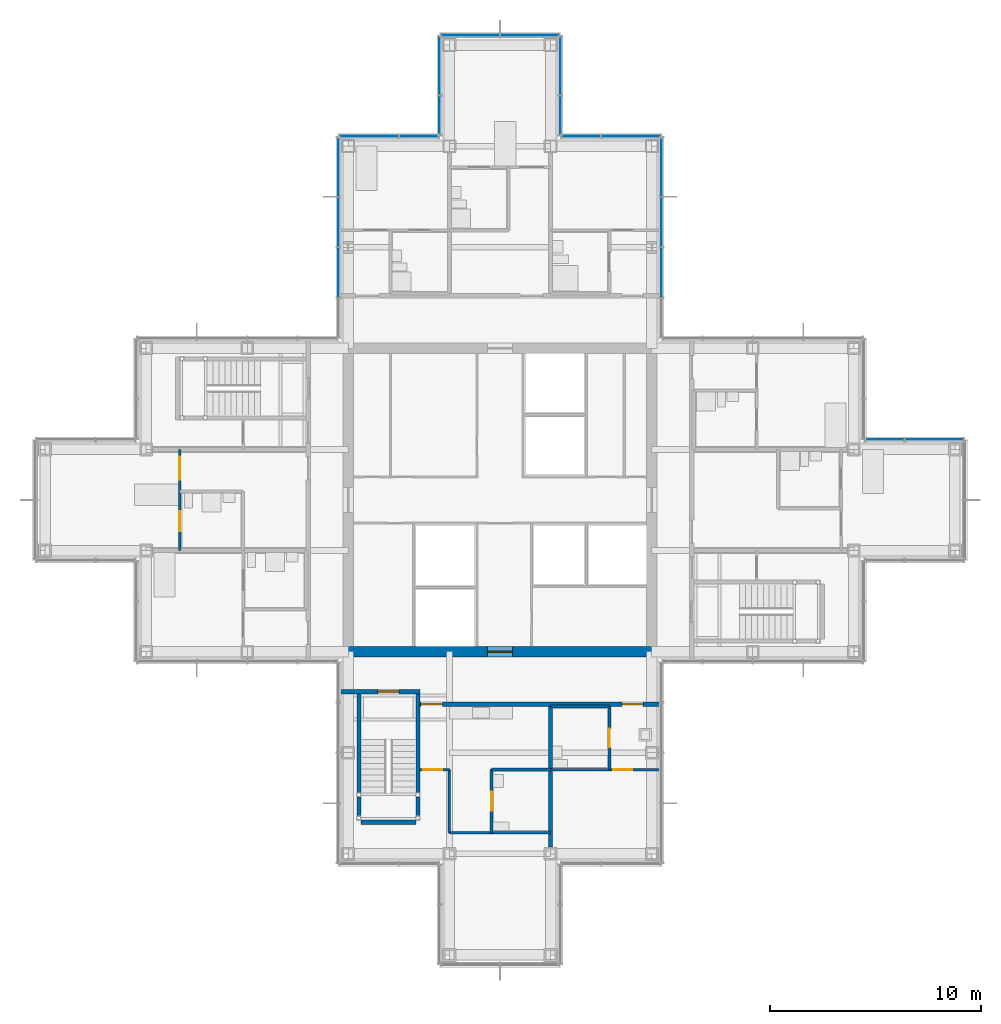
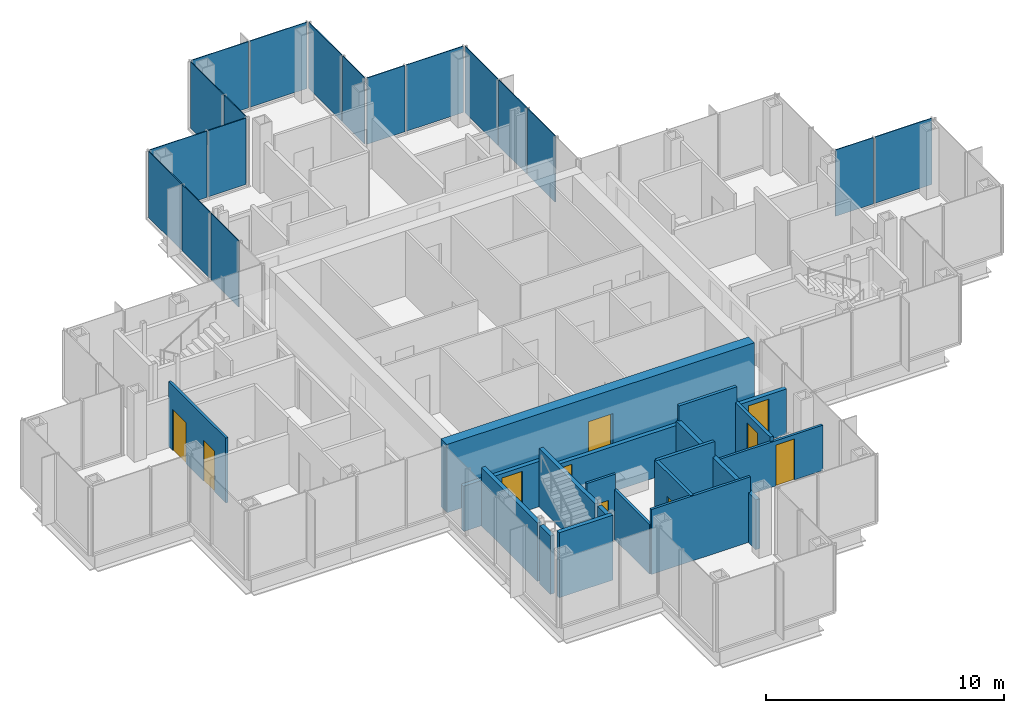
# One storey, part 11 of 17: 18 plates, 18 walls, 10 doors, 10 openings, 8 elements without a shape of their own.
"""IFC4 building model written with IfcOpenShell, lengths in metres."""

from ifc_helpers import new_model, si_unit, direction, frame, frame_2d, origin, origin_2d, place, context, subcontext, project, spatial, rectangle, extrude, material, layer, layer_set, type_object, element, fill, aggregate, save


model = new_model("IFC4")

# Units and contexts
model_context = context("Model", 3, precision=1e-05, world=origin(), true_north=direction((0.0, 1.0)))
body_context = subcontext(model_context, "Body", "Model", "MODEL_VIEW")
ifc_project = project(units=[si_unit("LENGTHUNIT", "METRE"), si_unit("AREAUNIT", "SQUARE_METRE"), si_unit("VOLUMEUNIT", "CUBIC_METRE"), si_unit("PLANEANGLEUNIT", "RADIAN"), si_unit("MASSUNIT", "GRAM", prefix="KILO")], contexts=[model_context])

# Site, building, storey
site_placement = place(None, origin())
site = spatial("IfcSite", under=ifc_project, at=site_placement, CompositionType="ELEMENT")
building_placement = place(site_placement, origin())
building = spatial("IfcBuilding", under=site, at=building_placement, Name="Kvirike Care Tower", CompositionType="ELEMENT")
storey_placement = place(building_placement, frame((0.0, 0.0, 144.5)))
storey = spatial("IfcBuildingStorey", under=building, at=storey_placement, Name="L39", CompositionType="ELEMENT", Elevation=144.5)

# Curtain wall, plates
ifc_material_1 = material(Name="Anodised aluminium stick system", Category="aluminium")
curtain_wall_type = type_object("IfcCurtainWallType", Name="CW-C STICK CURTAIN WALL", PredefinedType="NOTDEFINED", material=ifc_material_1)
curtain_wall_1_placement = place(storey_placement, origin())
curtain_wall_1 = element("IfcCurtainWall", 1, at=curtain_wall_1_placement, inside=storey, type_object=curtain_wall_type, Name="Curtain wall L39 face 5", PredefinedType="NOTDEFINED")
ifc_material_2 = material(Name="Tinted double glazed unit", Category="glass")
ifc_layer_1 = layer(ifc_material_2, 0.0400390625)
ifc_layer_set_1 = layer_set([ifc_layer_1], Name="TINTED VISION PANEL 40")
plate_type = type_object("IfcPlateType", Name="TINTED VISION PANEL 40", PredefinedType="CURTAIN_PANEL", material=ifc_layer_set_1)
plate_1_placement = place(storey_placement, frame((42.21875, 38.8701171875, 0.10009765625), z_axis=(0.0, 0.0, 1.0), x_axis=(-1.0, 0.0, 0.0)))
plate_1 = element("IfcPlate", 2, at=plate_1_placement, type_object=plate_type, Name="CW-C panel L39 face 5.1", PredefinedType="CURTAIN_PANEL", context=body_context, shape_type="SweptSolid", body=[
    extrude(rectangle(XDim=2.7724609375, YDim=0.0400390625, at=origin_2d()), origin(), (0.0, 0.0, 1.0), 3.39990234375),
])
plate_2_placement = place(storey_placement, frame((39.851318359375, 38.8701171875, 0.10009765625), z_axis=(0.0, 0.0, 1.0), x_axis=(-1.0, 0.0, 0.0)))
plate_2 = element("IfcPlate", 3, at=plate_2_placement, type_object=plate_type, Name="CW-C panel L39 face 5.2", PredefinedType="CURTAIN_PANEL", context=body_context, shape_type="SweptSolid", body=[
    extrude(rectangle(XDim=1.83251953125, YDim=0.0400390625, at=origin_2d()), origin(), (0.0, 0.0, 1.0), 3.39990234375),
])
aggregate(curtain_wall_1, [plate_1, plate_2])

curtain_wall_2_placement = place(storey_placement, origin())
curtain_wall_2 = element("IfcCurtainWall", 4, at=curtain_wall_2_placement, inside=storey, type_object=curtain_wall_type, Name="Curtain wall L39 face 8", PredefinedType="NOTDEFINED")
plate_3_placement = place(storey_placement, frame((29.27001953125, 46.800048828125, 0.10009765625), z_axis=(0.0, 0.0, 1.0), x_axis=(0.0, 1.0, 0.0)))
plate_3 = element("IfcPlate", 5, at=plate_3_placement, type_object=plate_type, Name="CW-C panel L39 face 8.2", PredefinedType="CURTAIN_PANEL", context=body_context, shape_type="SweptSolid", body=[
    extrude(rectangle(XDim=2.3349609375, YDim=0.0400390625, at=origin_2d()), origin(), (0.0, 0.0, 1.0), 3.39990234375),
])
plate_4_placement = place(storey_placement, frame((29.27001953125, 49.199951171875, 0.10009765625), z_axis=(0.0, 0.0, 1.0), x_axis=(0.0, 1.0, 0.0)))
plate_4 = element("IfcPlate", 6, at=plate_4_placement, type_object=plate_type, Name="CW-C panel L39 face 8.3", PredefinedType="CURTAIN_PANEL", context=body_context, shape_type="SweptSolid", body=[
    extrude(rectangle(XDim=2.3349609375, YDim=0.0400390625, at=origin_2d()), origin(), (0.0, 0.0, 1.0), 3.39990234375),
])
plate_5_placement = place(storey_placement, frame((29.27001953125, 51.81884765625, 0.10009765625), z_axis=(0.0, 0.0, 1.0), x_axis=(0.0, 1.0, 0.0)))
plate_5 = element("IfcPlate", 7, at=plate_5_placement, type_object=plate_type, Name="CW-C panel L39 face 8.4", PredefinedType="CURTAIN_PANEL", context=body_context, shape_type="SweptSolid", body=[
    extrude(rectangle(XDim=2.7724609375, YDim=0.0400390625, at=origin_2d()), origin(), (0.0, 0.0, 1.0), 3.39990234375),
])
aggregate(curtain_wall_2, [plate_3, plate_4, plate_5])

curtain_wall_3_placement = place(storey_placement, origin())
curtain_wall_3 = element("IfcCurtainWall", 8, at=curtain_wall_3_placement, inside=storey, type_object=curtain_wall_type, Name="Curtain wall L39 face 9", PredefinedType="NOTDEFINED")
plate_6_placement = place(storey_placement, frame((27.81884765625, 53.27001953125, 0.10009765625), z_axis=(0.0, 0.0, 1.0), x_axis=(-1.0, 0.0, 0.0)))
plate_6 = element("IfcPlate", 9, at=plate_6_placement, type_object=plate_type, Name="CW-C panel L39 face 9.1", PredefinedType="CURTAIN_PANEL", context=body_context, shape_type="SweptSolid", body=[
    extrude(rectangle(XDim=2.7724609375, YDim=0.0400390625, at=origin_2d()), origin(), (0.0, 0.0, 1.0), 3.39990234375),
])
plate_7_placement = place(storey_placement, frame((25.451171875, 53.27001953125, 0.10009765625), z_axis=(0.0, 0.0, 1.0), x_axis=(-1.0, 0.0, 0.0)))
plate_7 = element("IfcPlate", 10, at=plate_7_placement, type_object=plate_type, Name="CW-C panel L39 face 9.2", PredefinedType="CURTAIN_PANEL", context=body_context, shape_type="SweptSolid", body=[
    extrude(rectangle(XDim=1.83251953125, YDim=0.0400390625, at=origin_2d()), origin(), (0.0, 0.0, 1.0), 3.39990234375),
])
aggregate(curtain_wall_3, [plate_6, plate_7])

curtain_wall_4_placement = place(storey_placement, origin())
curtain_wall_4 = element("IfcCurtainWall", 11, at=curtain_wall_4_placement, inside=storey, type_object=curtain_wall_type, Name="Curtain wall L39 face 10", PredefinedType="NOTDEFINED")
plate_8_placement = place(storey_placement, frame((24.469970703125, 54.251220703125, 0.10009765625), z_axis=(0.0, 0.0, 1.0), x_axis=(0.0, 1.0, 0.0)))
plate_8 = element("IfcPlate", 12, at=plate_8_placement, type_object=plate_type, Name="CW-C panel L39 face 10.1", PredefinedType="CURTAIN_PANEL", context=body_context, shape_type="SweptSolid", body=[
    extrude(rectangle(XDim=1.83251953125, YDim=0.0400390625, at=origin_2d()), origin(), (0.0, 0.0, 1.0), 3.39990234375),
])
plate_9_placement = place(storey_placement, frame((24.469970703125, 56.61865234375, 0.10009765625), z_axis=(0.0, 0.0, 1.0), x_axis=(0.0, 1.0, 0.0)))
plate_9 = element("IfcPlate", 13, at=plate_9_placement, type_object=plate_type, Name="CW-C panel L39 face 10.2", PredefinedType="CURTAIN_PANEL", context=body_context, shape_type="SweptSolid", body=[
    extrude(rectangle(XDim=2.7724609375, YDim=0.0400390625, at=origin_2d()), origin(), (0.0, 0.0, 1.0), 3.39990234375),
])
aggregate(curtain_wall_4, [plate_8, plate_9])

curtain_wall_5_placement = place(storey_placement, origin())
curtain_wall_5 = element("IfcCurtainWall", 14, at=curtain_wall_5_placement, inside=storey, type_object=curtain_wall_type, Name="Curtain wall L39 face 11", PredefinedType="NOTDEFINED")
plate_10_placement = place(storey_placement, frame((23.018798828125, 58.070068359375, 0.10009765625), z_axis=(0.0, 0.0, 1.0), x_axis=(-1.0, 0.0, 0.0)))
plate_10 = element("IfcPlate", 15, at=plate_10_placement, type_object=plate_type, Name="CW-C panel L39 face 11.1", PredefinedType="CURTAIN_PANEL", context=body_context, shape_type="SweptSolid", body=[
    extrude(rectangle(XDim=2.7724609375, YDim=0.0400390625, at=origin_2d()), origin(), (0.0, 0.0, 1.0), 3.39990234375),
])
plate_11_placement = place(storey_placement, frame((20.18115234375, 58.070068359375, 0.10009765625), z_axis=(0.0, 0.0, 1.0), x_axis=(-1.0, 0.0, 0.0)))
plate_11 = element("IfcPlate", 16, at=plate_11_placement, type_object=plate_type, Name="CW-C panel L39 face 11.2", PredefinedType="CURTAIN_PANEL", context=body_context, shape_type="SweptSolid", body=[
    extrude(rectangle(XDim=2.7724609375, YDim=0.0400390625, at=origin_2d()), origin(), (0.0, 0.0, 1.0), 3.39990234375),
])
aggregate(curtain_wall_5, [plate_10, plate_11])

curtain_wall_6_placement = place(storey_placement, origin())
curtain_wall_6 = element("IfcCurtainWall", 17, at=curtain_wall_6_placement, inside=storey, type_object=curtain_wall_type, Name="Curtain wall L39 face 12", PredefinedType="NOTDEFINED")
plate_12_placement = place(storey_placement, frame((18.72998046875, 56.61865234375, 0.10009765625), z_axis=(0.0, 0.0, 1.0), x_axis=(0.0, -1.0, 0.0)))
plate_12 = element("IfcPlate", 18, at=plate_12_placement, type_object=plate_type, Name="CW-C panel L39 face 12.1", PredefinedType="CURTAIN_PANEL", context=body_context, shape_type="SweptSolid", body=[
    extrude(rectangle(XDim=2.7724609375, YDim=0.0400390625, at=origin_2d()), origin(), (0.0, 0.0, 1.0), 3.39990234375),
])
plate_13_placement = place(storey_placement, frame((18.72998046875, 54.251220703125, 0.10009765625), z_axis=(0.0, 0.0, 1.0), x_axis=(0.0, -1.0, 0.0)))
plate_13 = element("IfcPlate", 19, at=plate_13_placement, type_object=plate_type, Name="CW-C panel L39 face 12.2", PredefinedType="CURTAIN_PANEL", context=body_context, shape_type="SweptSolid", body=[
    extrude(rectangle(XDim=1.83251953125, YDim=0.0400390625, at=origin_2d()), origin(), (0.0, 0.0, 1.0), 3.39990234375),
])
aggregate(curtain_wall_6, [plate_12, plate_13])

curtain_wall_7_placement = place(storey_placement, origin())
curtain_wall_7 = element("IfcCurtainWall", 20, at=curtain_wall_7_placement, inside=storey, type_object=curtain_wall_type, Name="Curtain wall L39 face 13", PredefinedType="NOTDEFINED")
plate_14_placement = place(storey_placement, frame((17.748779296875, 53.27001953125, 0.10009765625), z_axis=(0.0, 0.0, 1.0), x_axis=(-1.0, 0.0, 0.0)))
plate_14 = element("IfcPlate", 21, at=plate_14_placement, type_object=plate_type, Name="CW-C panel L39 face 13.1", PredefinedType="CURTAIN_PANEL", context=body_context, shape_type="SweptSolid", body=[
    extrude(rectangle(XDim=1.83251953125, YDim=0.0400390625, at=origin_2d()), origin(), (0.0, 0.0, 1.0), 3.39990234375),
])
plate_15_placement = place(storey_placement, frame((15.38134765625, 53.27001953125, 0.10009765625), z_axis=(0.0, 0.0, 1.0), x_axis=(-1.0, 0.0, 0.0)))
plate_15 = element("IfcPlate", 22, at=plate_15_placement, type_object=plate_type, Name="CW-C panel L39 face 13.2", PredefinedType="CURTAIN_PANEL", context=body_context, shape_type="SweptSolid", body=[
    extrude(rectangle(XDim=2.7724609375, YDim=0.0400390625, at=origin_2d()), origin(), (0.0, 0.0, 1.0), 3.39990234375),
])
aggregate(curtain_wall_7, [plate_14, plate_15])

curtain_wall_8_placement = place(storey_placement, origin())
curtain_wall_8 = element("IfcCurtainWall", 23, at=curtain_wall_8_placement, inside=storey, type_object=curtain_wall_type, Name="Curtain wall L39 face 14", PredefinedType="NOTDEFINED")
plate_16_placement = place(storey_placement, frame((13.929931640625, 51.81884765625, 0.10009765625), z_axis=(0.0, 0.0, 1.0), x_axis=(0.0, -1.0, 0.0)))
plate_16 = element("IfcPlate", 24, at=plate_16_placement, type_object=plate_type, Name="CW-C panel L39 face 14.1", PredefinedType="CURTAIN_PANEL", context=body_context, shape_type="SweptSolid", body=[
    extrude(rectangle(XDim=2.7724609375, YDim=0.0400390625, at=origin_2d()), origin(), (0.0, 0.0, 1.0), 3.39990234375),
])
plate_17_placement = place(storey_placement, frame((13.929931640625, 49.199951171875, 0.10009765625), z_axis=(0.0, 0.0, 1.0), x_axis=(0.0, -1.0, 0.0)))
plate_17 = element("IfcPlate", 25, at=plate_17_placement, type_object=plate_type, Name="CW-C panel L39 face 14.2", PredefinedType="CURTAIN_PANEL", context=body_context, shape_type="SweptSolid", body=[
    extrude(rectangle(XDim=2.3349609375, YDim=0.0400390625, at=origin_2d()), origin(), (0.0, 0.0, 1.0), 3.39990234375),
])
plate_18_placement = place(storey_placement, frame((13.929931640625, 46.800048828125, 0.10009765625), z_axis=(0.0, 0.0, 1.0), x_axis=(0.0, -1.0, 0.0)))
plate_18 = element("IfcPlate", 26, at=plate_18_placement, type_object=plate_type, Name="CW-C panel L39 face 14.3", PredefinedType="CURTAIN_PANEL", context=body_context, shape_type="SweptSolid", body=[
    extrude(rectangle(XDim=2.3349609375, YDim=0.0400390625, at=origin_2d()), origin(), (0.0, 0.0, 1.0), 3.39990234375),
])
aggregate(curtain_wall_8, [plate_16, plate_17, plate_18])

# Wall, opening, door
ifc_material_3 = material(Name="Moisture-resistant board partition", Category="gypsum")
ifc_layer_2 = layer(ifc_material_3, 0.14990234375)
ifc_layer_set_2 = layer_set([ifc_layer_2], Name="BATHROOM WALL 150")
wall_type_1 = type_object("IfcWallType", Name="BATHROOM WALL 150", PredefinedType="PARTITIONING", material=ifc_layer_set_2)
wall_1_placement = place(storey_placement, frame((21.199951171875, 20.199951171875, 0.0), z_axis=(0.0, 0.0, 1.0), x_axis=(0.0, 1.0, 0.0)))
wall_1 = element("IfcWall", 27, at=wall_1_placement, inside=storey, type_object=wall_type_1, Name="Bathroom Wall 150 L39", PredefinedType="PARTITIONING", context=body_context, shape_type="SweptSolid", body=[
    extrude(rectangle(XDim=3.0, YDim=0.14990234375, at=frame_2d((1.5, 0.0))), origin(), (0.0, 0.0, 1.0), 3.330078125),
])
opening_1_placement = place(wall_1_placement, frame((1.050048828125, 0.0, 0.0)))
opening_1 = element("IfcOpeningElement", 28, at=opening_1_placement, cuts=wall_1, Name="Opening 39-011", PredefinedType="OPENING", context=body_context, shape_type="SweptSolid", body=[
    extrude(rectangle(XDim=0.89990234375, YDim=2.10009765625, at=frame_2d((0.449951171875, 1.050048828125))), frame((0.0, 0.08544921875, 0.0), z_axis=(0.0, -1.0, 0.0), x_axis=(1.0, 0.0, 0.0)), (0.0, 0.0, 1.0), 0.1708984375),
])
ifc_material_4 = material(Name="Timber door set", Category="wood")
door_type_1 = type_object("IfcDoorType", Name="BATHROOM DOOR 900", OperationType="SINGLE_SWING_RIGHT", PredefinedType="DOOR", material=ifc_material_4)
door_1_placement = place(opening_1_placement, frame((0.89990234375, 0.0, 0.0), z_axis=(0.0, 0.0, 1.0), x_axis=(-1.0, 0.0, 0.0)))
door_1 = element("IfcDoor", 29, at=door_1_placement, inside=storey, type_object=door_type_1, Name="Accessible WC door", OperationType="SINGLE_SWING_LEFT", OverallHeight=2.10009765625, OverallWidth=0.89990234375, PredefinedType="DOOR", context=body_context, shape_type="SweptSolid", body=[
    extrude(rectangle(XDim=0.89990234375, YDim=2.10009765625, at=frame_2d((0.449951171875, 1.050048828125))), frame((0.0, 0.02197265625, 0.0), z_axis=(0.0, -1.0, 0.0), x_axis=(1.0, 0.0, 0.0)), (0.0, 0.0, 1.0), 0.0439453125),
])
fill(opening_1, door_1)

# Wall
wall_2_placement = place(storey_placement, frame((21.199951171875, 23.199951171875, 0.0), z_axis=(0.0, 0.0, 1.0), x_axis=(1.0, 0.0, 0.0)))
element("IfcWall", 30, at=wall_2_placement, inside=storey, type_object=wall_type_1, Name="Bathroom Wall 150 L39", PredefinedType="PARTITIONING", context=body_context, shape_type="SweptSolid", body=[
    extrude(rectangle(XDim=2.800048828125, YDim=0.14990234375, at=frame_2d((1.39990234375, 0.0))), origin(), (0.0, 0.0, 1.0), 3.330078125),
])

# Wall, opening, door
wall_3_placement = place(storey_placement, frame((26.800048828125, 23.199951171875, 0.0), z_axis=(0.0, 0.0, 1.0), x_axis=(0.0, 1.0, 0.0)))
wall_3 = element("IfcWall", 31, at=wall_3_placement, inside=storey, type_object=wall_type_1, Name="Bathroom Wall 150 L39", PredefinedType="PARTITIONING", context=body_context, shape_type="SweptSolid", body=[
    extrude(rectangle(XDim=3.0, YDim=0.14990234375, at=frame_2d((1.5, 0.0))), origin(), (0.0, 0.0, 1.0), 2.550048828125),
])
opening_2_placement = place(wall_3_placement, frame((1.050048828125, 0.0, 0.0)))
opening_2 = element("IfcOpeningElement", 32, at=opening_2_placement, cuts=wall_3, Name="Opening 39-013", PredefinedType="OPENING", context=body_context, shape_type="SweptSolid", body=[
    extrude(rectangle(XDim=0.89990234375, YDim=2.10009765625, at=frame_2d((0.449951171875, 1.050048828125))), frame((0.0, 0.08544921875, 0.0), z_axis=(0.0, -1.0, 0.0), x_axis=(1.0, 0.0, 0.0)), (0.0, 0.0, 1.0), 0.1708984375),
])
door_2_placement = place(opening_2_placement, frame((0.89990234375, 0.0, 0.0), z_axis=(0.0, 0.0, 1.0), x_axis=(-1.0, 0.0, 0.0)))
door_2 = element("IfcDoor", 33, at=door_2_placement, inside=storey, type_object=door_type_1, Name="Staff WC door", OperationType="SINGLE_SWING_LEFT", OverallHeight=2.10009765625, OverallWidth=0.89990234375, PredefinedType="DOOR", context=body_context, shape_type="SweptSolid", body=[
    extrude(rectangle(XDim=0.89990234375, YDim=2.10009765625, at=frame_2d((0.449951171875, 1.050048828125))), frame((0.0, 0.02197265625, 0.0), z_axis=(0.0, -1.0, 0.0), x_axis=(1.0, 0.0, 0.0)), (0.0, 0.0, 1.0), 0.0439453125),
])
fill(opening_2, door_2)

# Wall
wall_4_placement = place(storey_placement, frame((24.0, 26.199951171875, 0.0), z_axis=(0.0, 0.0, 1.0), x_axis=(1.0, 0.0, 0.0)))
element("IfcWall", 34, at=wall_4_placement, inside=storey, type_object=wall_type_1, Name="Bathroom Wall 150 L39", PredefinedType="PARTITIONING", context=body_context, shape_type="SweptSolid", body=[
    extrude(rectangle(XDim=2.800048828125, YDim=0.14990234375, at=frame_2d((1.39990234375, 0.0))), origin(), (0.0, 0.0, 1.0), 3.330078125),
])

# Wall, opening, door
ifc_material_5 = material(Name="Concrete C45/55", Category="concrete")
ifc_layer_3 = layer(ifc_material_5, 0.5)
ifc_layer_set_3 = layer_set([ifc_layer_3], Name="CORE WALL 500 C45-55")
wall_type_2 = type_object("IfcWallType", Name="CORE WALL 500 C45-55", PredefinedType="SHEAR", material=ifc_layer_set_3)
wall_5_placement = place(storey_placement, frame((14.14990234375, 28.800048828125, -0.169921875), z_axis=(0.0, 0.0, 1.0), x_axis=(1.0, 0.0, 0.0)))
wall_5 = element("IfcWall", 35, at=wall_5_placement, inside=storey, type_object=wall_type_2, Name="Core wall S L39", PredefinedType="SHEAR", context=body_context, shape_type="SweptSolid", body=[
    extrude(rectangle(XDim=14.900146484375, YDim=0.5, at=frame_2d((7.4501953125, 0.0))), origin(), (0.0, 0.0, 1.0), 3.5),
])
opening_3_placement = place(wall_5_placement, frame((6.85009765625, 0.0, 0.169921875)))
opening_3 = element("IfcOpeningElement", 36, at=opening_3_placement, cuts=wall_5, Name="Opening 39-047", PredefinedType="OPENING", context=body_context, shape_type="SweptSolid", body=[
    extrude(rectangle(XDim=1.199951171875, YDim=2.10009765625, at=frame_2d((0.60009765625, 1.050048828125))), frame((0.0, 0.260498046875, 0.0), z_axis=(0.0, -1.0, 0.0), x_axis=(1.0, 0.0, 0.0)), (0.0, 0.0, 1.0), 0.52099609375),
])
ifc_material_6 = material(Name="Timber door set", Category="wood")
door_type_2 = type_object("IfcDoorType", Name="CORE DOOR 1200", OperationType="SINGLE_SWING_LEFT", PredefinedType="DOOR", material=ifc_material_6)
door_3_placement = place(opening_3_placement, origin())
door_3 = element("IfcDoor", 37, at=door_3_placement, inside=storey, type_object=door_type_2, Name="Core door S L39", OperationType="SINGLE_SWING_LEFT", OverallHeight=2.10009765625, OverallWidth=1.199951171875, PredefinedType="DOOR", context=body_context, shape_type="SweptSolid", body=[
    extrude(rectangle(XDim=1.199951171875, YDim=2.10009765625, at=frame_2d((0.60009765625, 1.050048828125))), frame((0.0, 0.02685546875, 0.0), z_axis=(0.0, -1.0, 0.0), x_axis=(1.0, 0.0, 0.0)), (0.0, 0.0, 1.0), 0.053955078125),
])
fill(opening_3, door_3)

# Wall, openings, doors
ifc_material_7 = material(Name="Plasterboard corridor wall", Category="gypsum")
ifc_layer_4 = layer(ifc_material_7, 0.199951171875)
ifc_layer_set_4 = layer_set([ifc_layer_4], Name="CORRIDOR WALL 200")
wall_type_3 = type_object("IfcWallType", Name="CORRIDOR WALL 200", PredefinedType="PARTITIONING", material=ifc_layer_set_4)
wall_6_placement = place(storey_placement, frame((17.800048828125, 26.300048828125, 0.0), z_axis=(0.0, 0.0, 1.0), x_axis=(1.0, 0.0, 0.0)))
wall_6 = element("IfcWall", 38, at=wall_6_placement, inside=storey, type_object=wall_type_3, Name="Corridor Wall 200 L39", PredefinedType="PARTITIONING", context=body_context, shape_type="SweptSolid", body=[
    extrude(rectangle(XDim=11.449951171875, YDim=0.199951171875, at=frame_2d((5.72509765625, 0.0))), origin(), (0.0, 0.0, 1.0), 2.320068359375),
])
opening_4_placement = place(wall_6_placement, frame((0.06005859375, 0.0, 0.0)))
opening_4 = element("IfcOpeningElement", 39, at=opening_4_placement, cuts=wall_6, Name="Opening 39-015", PredefinedType="OPENING", context=body_context, shape_type="SweptSolid", body=[
    extrude(rectangle(XDim=1.0, YDim=2.10009765625, at=frame_2d((0.5, 1.050048828125))), frame((0.0, 0.110595703125, 0.0), z_axis=(0.0, -1.0, 0.0), x_axis=(1.0, 0.0, 0.0)), (0.0, 0.0, 1.0), 0.220947265625),
])
opening_5_placement = place(wall_6_placement, frame((9.60009765625, 0.0, 0.0)))
opening_5 = element("IfcOpeningElement", 40, at=opening_5_placement, cuts=wall_6, Name="Opening 39-016", PredefinedType="OPENING", context=body_context, shape_type="SweptSolid", body=[
    extrude(rectangle(XDim=1.0, YDim=2.10009765625, at=frame_2d((0.5, 1.050048828125))), frame((0.0, 0.110595703125, 0.0), z_axis=(0.0, -1.0, 0.0), x_axis=(1.0, 0.0, 0.0)), (0.0, 0.0, 1.0), 0.220947265625),
])
ifc_material_8 = material(Name="Timber door set", Category="wood")
door_type_3 = type_object("IfcDoorType", Name="FLAT ENTRANCE DOOR 1000", OperationType="SINGLE_SWING_LEFT", PredefinedType="DOOR", material=ifc_material_8)
door_4_placement = place(opening_4_placement, frame((1.0, 0.0, 0.0), z_axis=(0.0, 0.0, 1.0), x_axis=(-1.0, 0.0, 0.0)))
door_4 = element("IfcDoor", 41, at=door_4_placement, inside=storey, type_object=door_type_3, Name="Household lounge entrance", OperationType="SINGLE_SWING_LEFT", OverallHeight=2.10009765625, OverallWidth=1.0, PredefinedType="DOOR", context=body_context, shape_type="SweptSolid", body=[
    extrude(rectangle(XDim=1.0, YDim=2.10009765625, at=frame_2d((0.5, 1.050048828125))), frame((0.0, 0.02685546875, 0.0), z_axis=(0.0, -1.0, 0.0), x_axis=(1.0, 0.0, 0.0)), (0.0, 0.0, 1.0), 0.053955078125),
])
fill(opening_4, door_4)
door_5_placement = place(opening_5_placement, frame((1.0, 0.0, 0.0), z_axis=(0.0, 0.0, 1.0), x_axis=(-1.0, 0.0, 0.0)))
door_5 = element("IfcDoor", 42, at=door_5_placement, inside=storey, type_object=door_type_3, Name="Household dining entrance", OperationType="SINGLE_SWING_RIGHT", OverallHeight=2.10009765625, OverallWidth=1.0, PredefinedType="DOOR", context=body_context, shape_type="SweptSolid", body=[
    extrude(rectangle(XDim=1.0, YDim=2.10009765625, at=frame_2d((0.5, 1.050048828125))), frame((0.0, 0.02685546875, 0.0), z_axis=(0.0, -1.0, 0.0), x_axis=(1.0, 0.0, 0.0)), (0.0, 0.0, 1.0), 0.053955078125),
])
fill(opening_5, door_5)

ifc_material_9 = material(Name="Plasterboard partition", Category="gypsum")
ifc_layer_5 = layer(ifc_material_9, 0.1201171875)
ifc_layer_set_5 = layer_set([ifc_layer_5], Name="PARTITION 120")
wall_type_4 = type_object("IfcWallType", Name="PARTITION 120", PredefinedType="PARTITIONING", material=ifc_layer_set_5)
wall_7_placement = place(storey_placement, frame((6.39990234375, 38.39990234375, 0.0), z_axis=(0.0, 0.0, 1.0), x_axis=(0.0, -1.0, 0.0)))
wall_7 = element("IfcWall", 43, at=wall_7_placement, inside=storey, type_object=wall_type_4, Name="Partition 120 L39", PredefinedType="PARTITIONING", context=body_context, shape_type="SweptSolid", body=[
    extrude(rectangle(XDim=4.7998046875, YDim=0.1201171875, at=frame_2d((2.39990234375, 0.0))), origin(), (0.0, 0.0, 1.0), 3.330078125),
])
opening_6_placement = place(wall_7_placement, frame((0.35009765625, 0.0, 0.0)))
opening_6 = element("IfcOpeningElement", 44, at=opening_6_placement, cuts=wall_7, Name="Opening 39-002", PredefinedType="OPENING", context=body_context, shape_type="SweptSolid", body=[
    extrude(rectangle(XDim=1.10009765625, YDim=2.10009765625, at=frame_2d((0.550048828125, 1.050048828125))), frame((0.0, 0.070556640625, 0.0), z_axis=(0.0, -1.0, 0.0), x_axis=(1.0, 0.0, 0.0)), (0.0, 0.0, 1.0), 0.14111328125),
])
opening_7_placement = place(wall_7_placement, frame((2.925048828125, 0.0, 0.0)))
opening_7 = element("IfcOpeningElement", 45, at=opening_7_placement, cuts=wall_7, Name="Opening 39-003", PredefinedType="OPENING", context=body_context, shape_type="SweptSolid", body=[
    extrude(rectangle(XDim=0.949951171875, YDim=2.10009765625, at=frame_2d((0.47509765625, 1.050048828125))), frame((0.0, 0.070556640625, 0.0), z_axis=(0.0, -1.0, 0.0), x_axis=(1.0, 0.0, 0.0)), (0.0, 0.0, 1.0), 0.14111328125),
])
ifc_material_10 = material(Name="Timber door set", Category="wood")
door_type_4 = type_object("IfcDoorType", Name="BEDROOM DOOR 1100", OperationType="SINGLE_SWING_LEFT", PredefinedType="DOOR", material=ifc_material_10)
door_6_placement = place(opening_6_placement, origin())
door_6 = element("IfcDoor", 46, at=door_6_placement, inside=storey, type_object=door_type_4, Name="Memory care bedroom door", OperationType="SINGLE_SWING_RIGHT", OverallHeight=2.10009765625, OverallWidth=1.10009765625, PredefinedType="DOOR", context=body_context, shape_type="SweptSolid", body=[
    extrude(rectangle(XDim=1.10009765625, YDim=2.10009765625, at=frame_2d((0.550048828125, 1.050048828125))), frame((0.0, 0.02197265625, 0.0), z_axis=(0.0, -1.0, 0.0), x_axis=(1.0, 0.0, 0.0)), (0.0, 0.0, 1.0), 0.0439453125),
])
fill(opening_6, door_6)
ifc_material_11 = material(Name="Timber door set", Category="wood")
door_type_5 = type_object("IfcDoorType", Name="EN-SUITE SLIDING DOOR 950", OperationType="SLIDING_TO_LEFT", PredefinedType="DOOR", material=ifc_material_11)
door_7_placement = place(opening_7_placement, origin())
door_7 = element("IfcDoor", 47, at=door_7_placement, inside=storey, type_object=door_type_5, Name="En-suite door", OperationType="SLIDING_TO_LEFT", OverallHeight=2.10009765625, OverallWidth=0.949951171875, PredefinedType="DOOR", context=body_context, shape_type="SweptSolid", body=[
    extrude(rectangle(XDim=0.949951171875, YDim=2.10009765625, at=frame_2d((0.47509765625, 1.050048828125))), frame((0.0, 0.02197265625, 0.0), z_axis=(0.0, -1.0, 0.0), x_axis=(1.0, 0.0, 0.0)), (0.0, 0.0, 1.0), 0.0439453125),
])
fill(opening_7, door_7)

# Wall, opening, door
wall_8_placement = place(storey_placement, frame((17.800048828125, 23.199951171875, 0.0), z_axis=(0.0, 0.0, 1.0), x_axis=(1.0, 0.0, 0.0)))
wall_8 = element("IfcWall", 48, at=wall_8_placement, inside=storey, type_object=wall_type_4, Name="Partition 120 L39", PredefinedType="PARTITIONING", context=body_context, shape_type="SweptSolid", body=[
    extrude(rectangle(XDim=1.39990234375, YDim=0.1201171875, at=frame_2d((0.699951171875, 0.0))), origin(), (0.0, 0.0, 1.0), 3.330078125),
])
opening_8_placement = place(wall_8_placement, frame((0.14990234375, 0.0, 0.0)))
opening_8 = element("IfcOpeningElement", 49, at=opening_8_placement, cuts=wall_8, Name="Opening 39-012", PredefinedType="OPENING", context=body_context, shape_type="SweptSolid", body=[
    extrude(rectangle(XDim=0.89990234375, YDim=2.10009765625, at=frame_2d((0.449951171875, 1.050048828125))), frame((0.0, 0.070556640625, 0.0), z_axis=(0.0, -1.0, 0.0), x_axis=(1.0, 0.0, 0.0)), (0.0, 0.0, 1.0), 0.14111328125),
])
ifc_material_12 = material(Name="Timber door set", Category="wood")
door_type_6 = type_object("IfcDoorType", Name="INTERNAL DOOR 900", OperationType="SINGLE_SWING_LEFT", PredefinedType="DOOR", material=ifc_material_12)
door_8_placement = place(opening_8_placement, origin())
door_8 = element("IfcDoor", 50, at=door_8_placement, inside=storey, type_object=door_type_6, Name="Household lounge door", OperationType="SINGLE_SWING_RIGHT", OverallHeight=2.10009765625, OverallWidth=0.89990234375, PredefinedType="DOOR", context=body_context, shape_type="SweptSolid", body=[
    extrude(rectangle(XDim=0.89990234375, YDim=2.10009765625, at=frame_2d((0.449951171875, 1.050048828125))), frame((0.0, 0.02197265625, 0.0), z_axis=(0.0, -1.0, 0.0), x_axis=(1.0, 0.0, 0.0)), (0.0, 0.0, 1.0), 0.0439453125),
])
fill(opening_8, door_8)

# Walls
wall_9_placement = place(storey_placement, frame((19.199951171875, 20.199951171875, 0.0), z_axis=(0.0, 0.0, 1.0), x_axis=(1.0, 0.0, 0.0)))
element("IfcWall", 51, at=wall_9_placement, inside=storey, type_object=wall_type_4, Name="Partition 120 L39", PredefinedType="PARTITIONING", context=body_context, shape_type="SweptSolid", body=[
    extrude(rectangle(XDim=4.800048828125, YDim=0.1201171875, at=frame_2d((2.39990234375, 0.0))), origin(), (0.0, 0.0, 1.0), 3.330078125),
])
wall_10_placement = place(storey_placement, frame((19.199951171875, 20.199951171875, 0.0), z_axis=(0.0, 0.0, 1.0), x_axis=(0.0, 1.0, 0.0)))
element("IfcWall", 52, at=wall_10_placement, inside=storey, type_object=wall_type_4, Name="Partition 120 L39", PredefinedType="PARTITIONING", context=body_context, shape_type="SweptSolid", body=[
    extrude(rectangle(XDim=3.0, YDim=0.1201171875, at=frame_2d((1.5, 0.0))), origin(), (0.0, 0.0, 1.0), 2.550048828125),
])

# Wall, opening, door
wall_11_placement = place(storey_placement, frame((24.0, 23.199951171875, 0.0), z_axis=(0.0, 0.0, 1.0), x_axis=(1.0, 0.0, 0.0)))
wall_11 = element("IfcWall", 53, at=wall_11_placement, inside=storey, type_object=wall_type_4, Name="Partition 120 L39", PredefinedType="PARTITIONING", context=body_context, shape_type="SweptSolid", body=[
    extrude(rectangle(XDim=5.25, YDim=0.1201171875, at=frame_2d((2.625, 0.0))), origin(), (0.0, 0.0, 1.0), 2.320068359375),
])
opening_9_placement = place(wall_11_placement, frame((2.97509765625, 0.0, 0.0)))
opening_9 = element("IfcOpeningElement", 54, at=opening_9_placement, cuts=wall_11, Name="Opening 39-014", PredefinedType="OPENING", context=body_context, shape_type="SweptSolid", body=[
    extrude(rectangle(XDim=0.89990234375, YDim=2.10009765625, at=frame_2d((0.449951171875, 1.050048828125))), frame((0.0, 0.070556640625, 0.0), z_axis=(0.0, -1.0, 0.0), x_axis=(1.0, 0.0, 0.0)), (0.0, 0.0, 1.0), 0.14111328125),
])
door_9_placement = place(opening_9_placement, origin())
door_9 = element("IfcDoor", 55, at=door_9_placement, inside=storey, type_object=door_type_6, Name="Household dining room door", OperationType="SINGLE_SWING_RIGHT", OverallHeight=2.10009765625, OverallWidth=0.89990234375, PredefinedType="DOOR", context=body_context, shape_type="SweptSolid", body=[
    extrude(rectangle(XDim=0.89990234375, YDim=2.10009765625, at=frame_2d((0.449951171875, 1.050048828125))), frame((0.0, 0.02197265625, 0.0), z_axis=(0.0, -1.0, 0.0), x_axis=(1.0, 0.0, 0.0)), (0.0, 0.0, 1.0), 0.0439453125),
])
fill(opening_9, door_9)

# Walls
ifc_material_13 = material(Name="Plasterboard party wall", Category="gypsum")
ifc_layer_6 = layer(ifc_material_13, 0.199951171875)
ifc_layer_set_6 = layer_set([ifc_layer_6], Name="PARTY WALL 200")
wall_type_5 = type_object("IfcWallType", Name="PARTY WALL 200", PredefinedType="PARTITIONING", material=ifc_layer_set_6)
wall_12_placement = place(storey_placement, frame((24.0, 19.52001953125, 0.0), z_axis=(0.0, 0.0, 1.0), x_axis=(0.0, 1.0, 0.0)))
element("IfcWall", 56, at=wall_12_placement, inside=storey, type_object=wall_type_5, Name="Party Wall 200 L39", PredefinedType="PARTITIONING", context=body_context, shape_type="SweptSolid", body=[
    extrude(rectangle(XDim=6.679931640625, YDim=0.199951171875, at=frame_2d((3.33984375, 0.0))), origin(), (0.0, 0.0, 1.0), 2.550048828125),
])
ifc_material_14 = material(Name="Concrete C40/50", Category="concrete")
ifc_layer_7 = layer(ifc_material_14, 0.199951171875)
ifc_layer_set_7 = layer_set([ifc_layer_7], Name="STAIR WALL 200")
wall_type_6 = type_object("IfcWallType", Name="STAIR WALL 200", PredefinedType="SOLIDWALL", material=ifc_layer_set_7)
wall_13_placement = place(storey_placement, frame((14.89990234375, 21.0, 0.0), z_axis=(0.0, 0.0, 1.0), x_axis=(0.0, 1.0, 0.0)))
element("IfcWall", 57, at=wall_13_placement, inside=storey, type_object=wall_type_6, Name="Stair Wall 200 L39", PredefinedType="SOLIDWALL", context=body_context, shape_type="SweptSolid", body=[
    extrude(rectangle(XDim=0.89990234375, YDim=0.199951171875, at=frame_2d((0.449951171875, 0.0))), origin(), (0.0, 0.0, 1.0), 2.989990234375),
])
wall_14_placement = place(storey_placement, frame((14.89990234375, 22.10009765625, 0.0), z_axis=(0.0, 0.0, 1.0), x_axis=(0.0, 1.0, 0.0)))
element("IfcWall", 58, at=wall_14_placement, inside=storey, type_object=wall_type_6, Name="Stair Wall 200 L39", PredefinedType="SOLIDWALL", context=body_context, shape_type="SweptSolid", body=[
    extrude(rectangle(XDim=4.699951171875, YDim=0.199951171875, at=frame_2d((2.35009765625, 0.0))), origin(), (0.0, 0.0, 1.0), 2.989990234375),
])
wall_15_placement = place(storey_placement, frame((17.699951171875, 21.0, 0.0), z_axis=(0.0, 0.0, 1.0), x_axis=(0.0, 1.0, 0.0)))
element("IfcWall", 59, at=wall_15_placement, inside=storey, type_object=wall_type_6, Name="Stair Wall 200 L39", PredefinedType="SOLIDWALL", context=body_context, shape_type="SweptSolid", body=[
    extrude(rectangle(XDim=0.89990234375, YDim=0.199951171875, at=frame_2d((0.449951171875, 0.0))), origin(), (0.0, 0.0, 1.0), 2.989990234375),
])
wall_16_placement = place(storey_placement, frame((17.699951171875, 22.10009765625, 0.0), z_axis=(0.0, 0.0, 1.0), x_axis=(0.0, 1.0, 0.0)))
element("IfcWall", 60, at=wall_16_placement, inside=storey, type_object=wall_type_6, Name="Stair Wall 200 L39", PredefinedType="SOLIDWALL", context=body_context, shape_type="SweptSolid", body=[
    extrude(rectangle(XDim=4.699951171875, YDim=0.199951171875, at=frame_2d((2.35009765625, 0.0))), origin(), (0.0, 0.0, 1.0), 2.989990234375),
])
wall_17_placement = place(storey_placement, frame((15.0, 20.699951171875, 0.0), z_axis=(0.0, 0.0, 1.0), x_axis=(1.0, 0.0, 0.0)))
element("IfcWall", 61, at=wall_17_placement, inside=storey, type_object=wall_type_6, Name="Stair Wall 200 L39", PredefinedType="SOLIDWALL", context=body_context, shape_type="SweptSolid", body=[
    extrude(rectangle(XDim=2.60009765625, YDim=0.199951171875, at=frame_2d((1.300048828125, 0.0))), origin(), (0.0, 0.0, 1.0), 3.330078125),
])

# Wall, opening, door
wall_18_placement = place(storey_placement, frame((13.949951171875, 26.89990234375, 0.0), z_axis=(0.0, 0.0, 1.0), x_axis=(1.0, 0.0, 0.0)))
wall_18 = element("IfcWall", 62, at=wall_18_placement, inside=storey, type_object=wall_type_6, Name="Stair Wall 200 L39", PredefinedType="SOLIDWALL", context=body_context, shape_type="SweptSolid", body=[
    extrude(rectangle(XDim=3.85009765625, YDim=0.199951171875, at=frame_2d((1.925048828125, 0.0))), origin(), (0.0, 0.0, 1.0), 2.320068359375),
])
opening_10_placement = place(wall_18_placement, frame((1.85009765625, 0.0, 0.0)))
opening_10 = element("IfcOpeningElement", 63, at=opening_10_placement, cuts=wall_18, Name="Opening 39-010", PredefinedType="OPENING", context=body_context, shape_type="SweptSolid", body=[
    extrude(rectangle(XDim=1.0, YDim=2.10009765625, at=frame_2d((0.5, 1.050048828125))), frame((0.0, 0.110595703125, 0.0), z_axis=(0.0, -1.0, 0.0), x_axis=(1.0, 0.0, 0.0)), (0.0, 0.0, 1.0), 0.220947265625),
])
ifc_material_15 = material(Name="Timber door set", Category="wood")
door_type_7 = type_object("IfcDoorType", Name="STAIR DOOR 1000", OperationType="SINGLE_SWING_LEFT", PredefinedType="DOOR", material=ifc_material_15)
door_10_placement = place(opening_10_placement, frame((1.0, 0.0, 0.0), z_axis=(0.0, 0.0, 1.0), x_axis=(-1.0, 0.0, 0.0)))
door_10 = element("IfcDoor", 64, at=door_10_placement, inside=storey, type_object=door_type_7, Name="Stair 5 door", OperationType="SINGLE_SWING_LEFT", OverallHeight=2.10009765625, OverallWidth=1.0, PredefinedType="DOOR", context=body_context, shape_type="SweptSolid", body=[
    extrude(rectangle(XDim=1.0, YDim=2.10009765625, at=frame_2d((0.5, 1.050048828125))), frame((0.0, 0.031982421875, 0.0), z_axis=(0.0, -1.0, 0.0), x_axis=(1.0, 0.0, 0.0)), (0.0, 0.0, 1.0), 0.06396484375),
])
fill(opening_10, door_10)

save(model, "model.ifc")
